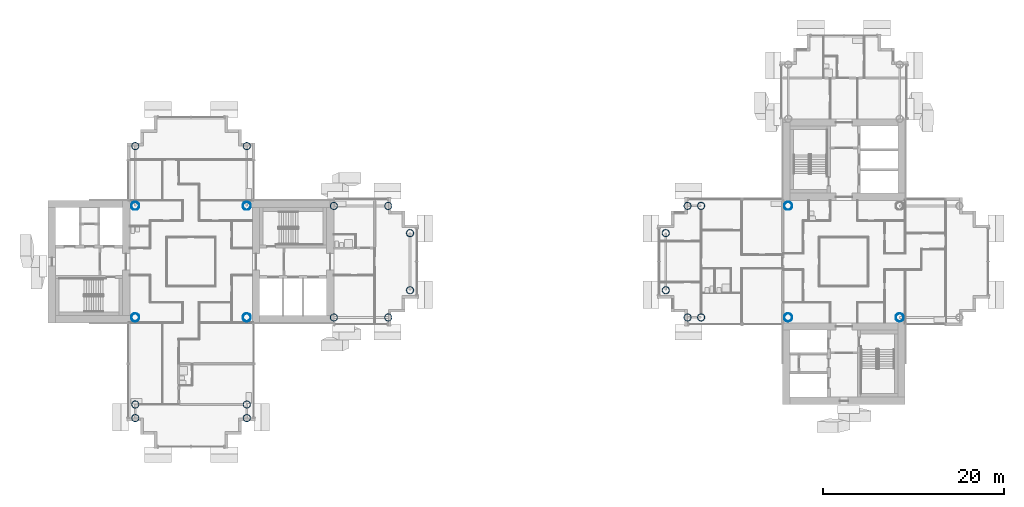
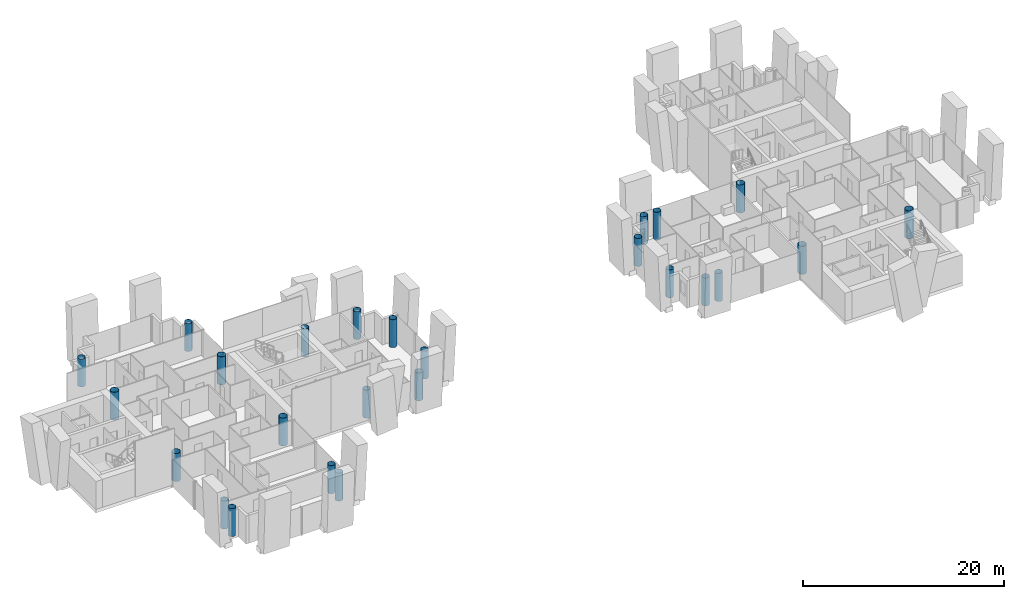
# One storey, part 1 of 19: 25 columns.
"""IFC4 building model written with IfcOpenShell, lengths in metres."""

from ifc_helpers import new_model, si_unit, direction, frame, origin, origin_2d, place, context, subcontext, project, spatial, hollow_circle, extrude, material, material_profile, profile_set, type_object, element, save


model = new_model("IFC4")

# Units and contexts
model_context = context("Model", 3, precision=1e-05, world=origin(), true_north=direction((0.0, 1.0)))
body_context = subcontext(model_context, "Body", "Model", "MODEL_VIEW")
ifc_project = project(units=[si_unit("LENGTHUNIT", "METRE"), si_unit("AREAUNIT", "SQUARE_METRE"), si_unit("VOLUMEUNIT", "CUBIC_METRE"), si_unit("PLANEANGLEUNIT", "RADIAN"), si_unit("MASSUNIT", "GRAM", prefix="KILO")], contexts=[model_context])

# Site, building, storey
site_placement = place(None, origin())
site = spatial("IfcSite", under=ifc_project, at=site_placement, CompositionType="ELEMENT")
building_placement = place(site_placement, origin())
building = spatial("IfcBuilding", under=site, at=building_placement, Name="Ipe Terrace Towers", CompositionType="ELEMENT")
storey_placement = place(building_placement, frame((0.0, 0.0, 157.5)))
storey = spatial("IfcBuildingStorey", under=building, at=storey_placement, Name="L43", CompositionType="ELEMENT", Elevation=157.5)

# Columns
ifc_material_1 = material(Name="Steel S355 tube with Concrete C60/75 fill", Category="concrete")
ifc_material_profile_1 = material_profile(ifc_material_1, hollow_circle(Radius=0.39990234375, WallThickness=0.028076171875, at=origin_2d()), Name="CHS-800x28")
ifc_profile_set_1 = profile_set([ifc_material_profile_1], Name="Steel S355 tube with Concrete C60/75 fill")
column_type_1 = type_object("IfcColumnType", Name="CH09 COLUMN CHS-800x28", PredefinedType="COLUMN", material=ifc_profile_set_1)
for number, where, z_axis, x_axis, name in (
    (1, (-20.25, -6.14990234375, 0.0), (0.0, 0.0, 1.0), (1.0, 0.0, 0.0), "Column T1-C-A01"),
    (2, (-20.25, 6.14990234375, 0.0), (0.0, 0.0, 1.0), (1.0, 0.0, 0.0), "Column T1-C-A02"),
    (3, (-14.25, -6.14990234375, 0.0), (0.0, 0.0, 1.0), (1.0, 0.0, 0.0), "Column T1-C-A03"),
    (4, (-14.25, 6.14990234375, 0.0), (0.0, 0.0, 1.0), (1.0, 0.0, 0.0), "Column T1-C-A04"),
    (5, (-11.85009765625, -3.14990234375, 0.0), (0.0, 0.0, 1.0), (1.0, 0.0, 0.0), "Column T1-C-A05"),
    (6, (-11.85009765625, 3.14990234375, 0.0), (0.0, 0.0, 1.0), (1.0, 0.0, 0.0), "Column T1-C-A06"),
    (7, (-29.85009765625, 12.75, 0.0), (0.0, 0.0, 1.0), (1.0, 0.0, 0.0), "Column T1-C-B01"),
    (8, (-42.14990234375, 12.75, 0.0), (0.0, 0.0, 1.0), (1.0, 0.0, 0.0), "Column T1-C-B02"),
    (9, (-42.14990234375, -15.75, 0.0), (0.0, 0.0, 1.0), (1.0, 0.0, 0.0), "Column T1-C-D03"),
    (10, (-29.85009765625, -15.75, 0.0), (0.0, 0.0, 1.0), (1.0, 0.0, 0.0), "Column T1-C-D04"),
    (11, (-42.14990234375, -17.25, 0.0), (0.0, 0.0, 1.0), (1.0, 0.0, 0.0), "Column T1-C-D05"),
    (12, (-29.85009765625, -17.25, 0.0), (0.0, 0.0, 1.0), (1.0, 0.0, 0.0), "Column T1-C-D06"),
    (13, (20.25, 6.14990234375, 0.0), (0.0, 0.0, 1.0), (1.0, 0.0, 0.0), "Column T2-C-B03"),
    (14, (20.25, -6.14990234375, 0.0), (0.0, 0.0, 1.0), (1.0, 0.0, 0.0), "Column T2-C-B04"),
    (15, (18.75, 6.14990234375, 0.0), (0.0, 0.0, 1.0), (1.0, 0.0, 0.0), "Column T2-C-B05"),
    (16, (18.75, -6.14990234375, 0.0), (0.0, 0.0, 1.0), (1.0, 0.0, 0.0), "Column T2-C-B06"),
    (17, (16.35009765625, 3.14990234375, 0.0), (0.0, 0.0, 1.0), (1.0, 0.0, 0.0), "Column T2-C-B07"),
    (18, (16.35009765625, -3.14990234375, 0.0), (0.0, 0.0, 1.0), (1.0, 0.0, 0.0), "Column T2-C-B08"),
):
    element("IfcColumn", number, at=place(storey_placement, frame(where, z_axis=z_axis, x_axis=x_axis)), inside=storey, type_object=column_type_1, Name=name, PredefinedType="COLUMN", context=body_context, shape_type="SweptSolid", body=[
        extrude(hollow_circle(Radius=0.39990234375, WallThickness=0.028076171875, at=origin_2d()), origin(), (0.0, 0.0, 1.0), 3.39990234375),
    ])
ifc_material_2 = material(Name="Steel S355 tube with Concrete C60/75 fill", Category="concrete")
ifc_material_profile_2 = material_profile(ifc_material_2, hollow_circle(Radius=0.449951171875, WallThickness=0.031982421875, at=origin_2d()), Name="CHS-900x32")
ifc_profile_set_2 = profile_set([ifc_material_profile_2], Name="Steel S355 tube with Concrete C60/75 fill")
column_type_2 = type_object("IfcColumnType", Name="CH10 COLUMN CHS-900x32", PredefinedType="COLUMN", material=ifc_profile_set_2)
for number, where, z_axis, x_axis, name in (
    (19, (-42.14990234375, -6.14990234375, 0.0), (0.0, 0.0, 1.0), (1.0, 0.0, 0.0), "Column T1-C-E01"),
    (20, (-29.85009765625, -6.14990234375, 0.0), (0.0, 0.0, 1.0), (1.0, 0.0, 0.0), "Column T1-C-E02"),
    (21, (-29.85009765625, 6.14990234375, 0.0), (0.0, 0.0, 1.0), (1.0, 0.0, 0.0), "Column T1-C-E03"),
    (22, (-42.14990234375, 6.14990234375, 0.0), (0.0, 0.0, 1.0), (1.0, 0.0, 0.0), "Column T1-C-E04"),
    (23, (42.14990234375, -6.14990234375, 0.0), (0.0, 0.0, 1.0), (1.0, 0.0, 0.0), "Column T2-C-E01"),
    (24, (29.85009765625, 6.14990234375, 0.0), (0.0, 0.0, 1.0), (1.0, 0.0, 0.0), "Column T2-C-E03"),
    (25, (29.85009765625, -6.14990234375, 0.0), (0.0, 0.0, 1.0), (1.0, 0.0, 0.0), "Column T2-C-E04"),
):
    element("IfcColumn", number, at=place(storey_placement, frame(where, z_axis=z_axis, x_axis=x_axis)), inside=storey, type_object=column_type_2, Name=name, PredefinedType="COLUMN", context=body_context, shape_type="SweptSolid", body=[
        extrude(hollow_circle(Radius=0.449951171875, WallThickness=0.031982421875, at=origin_2d()), origin(), (0.0, 0.0, 1.0), 3.39990234375),
    ])

save(model, "model.ifc")
